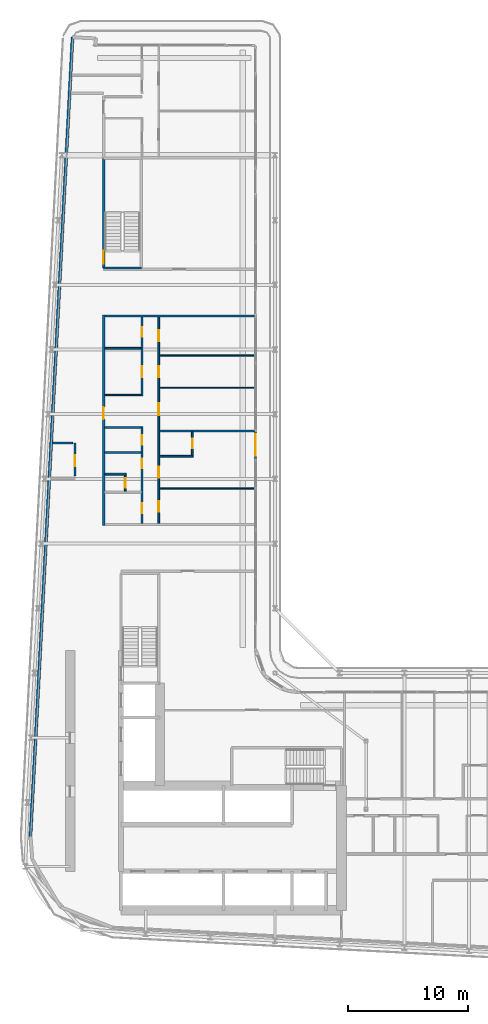
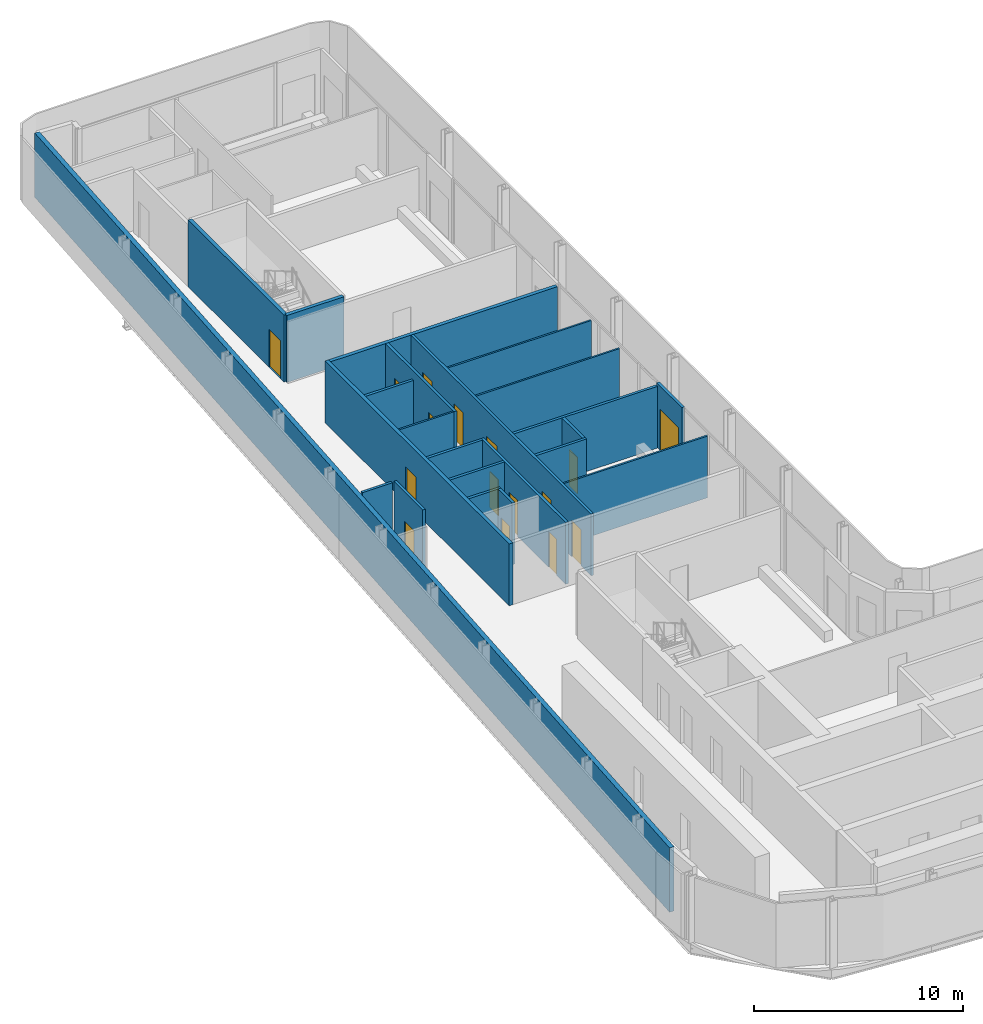
# One storey, part 18 of 29: 23 walls, 16 doors, 16 openings.
"""IFC4 building model written with IfcOpenShell, lengths in metres."""

import ifcopenshell
import ifcopenshell.guid

model = None  # the IFC model being written
_history = None  # IfcOwnerHistory: only IFC2X3 demands one
_inside = {}  # id of a spatial element -> (the spatial element, [elements in it])
_under = {}  # id of a project, library or spatial element -> (it, [spatial elements below it])
_declared = {}  # id of a project -> (the project, [libraries it declares])
_typed = {}  # id of a type object -> (the type object, [elements of that type])
_made_of = {}  # id of a material, layer set ... -> (it, [elements and type objects made of it])


def new_model(schema):
    """Start an empty IFC model of exactly this schema.

    Asked for "IFC4X3", IfcOpenShell would pick the latest addendum, in which some entities
    have other attributes; the version numbers below select the first issue.
    IFC2X3 requires an IfcOwnerHistory on every rooted entity: one is made here for all.
    """
    global model, _history
    if schema == "IFC4X3":
        model = ifcopenshell.file(schema_version=(4, 3, 0, 0))
    else:
        model = ifcopenshell.file(schema=schema)
    _inside.clear()
    _under.clear()
    _declared.clear()
    _typed.clear()
    _made_of.clear()
    _history = None
    if model.schema == "IFC2X3":
        org = make("IfcOrganization", Name="unknown")
        user = make(
            "IfcPersonAndOrganization",
            ThePerson=make("IfcPerson", FamilyName="unknown"),
            TheOrganization=org,
        )
        app = make(
            "IfcApplication",
            ApplicationDeveloper=org,
            Version="unknown",
            ApplicationFullName="unknown",
            ApplicationIdentifier="unknown",
        )
        _history = make(
            "IfcOwnerHistory",
            OwningUser=user,
            OwningApplication=app,
            ChangeAction="ADDED",
            CreationDate=0,
        )
    return model


def make(cls, **values):
    """One entity of the class cls with the attributes given. An attribute that is None is left unset."""
    return model.create_entity(
        cls, **{name: value for name, value in values.items() if value is not None}
    )


def rooted(cls, **values):
    """An entity with a GlobalId (a new one), such as an element, a storey or a relation."""
    return make(cls, GlobalId=ifcopenshell.guid.new(), OwnerHistory=_history, **values)


def si_unit(unit_type, name, prefix=None):
    """IfcSIUnit, for example si_unit("LENGTHUNIT", "METRE", prefix="MILLI")."""
    return make("IfcSIUnit", UnitType=unit_type, Prefix=prefix, Name=name)


def assignment(units):
    """IfcUnitAssignment: the units of a project."""
    return None if units is None else make("IfcUnitAssignment", Units=units)


def point(xyz):
    """IfcCartesianPoint."""
    return None if xyz is None else make("IfcCartesianPoint", Coordinates=xyz)


def direction(xyz):
    """IfcDirection."""
    return None if xyz is None else make("IfcDirection", DirectionRatios=xyz)


def frame(location, z_axis=None, x_axis=None):
    """IfcAxis2Placement3D, a coordinate frame: its origin and axes. An axis left out is left unset."""
    return make(
        "IfcAxis2Placement3D",
        Location=point(location),
        Axis=direction(z_axis),
        RefDirection=direction(x_axis),
    )


def frame_2d(location, x_axis=None):
    """IfcAxis2Placement2D, a coordinate frame in the plane: its origin and x axis."""
    return make(
        "IfcAxis2Placement2D", Location=point(location), RefDirection=direction(x_axis)
    )


def origin():
    """The frame at (0, 0, 0) with its axes left unset."""
    return frame((0.0, 0.0, 0.0))


def place(relative_to, where):
    """IfcLocalPlacement: puts the frame where relative to a parent placement (None: the world)."""
    return make(
        "IfcLocalPlacement", PlacementRelTo=relative_to, RelativePlacement=where
    )


def context(
    kind, dimensions, precision=None, world=None, true_north=None, identifier=None
):
    """IfcGeometricRepresentationContext, for example the 3D "Model" context."""
    return make(
        "IfcGeometricRepresentationContext",
        ContextIdentifier=identifier,
        ContextType=kind,
        CoordinateSpaceDimension=dimensions,
        Precision=precision,
        WorldCoordinateSystem=world,
        TrueNorth=true_north,
    )


def subcontext(parent, identifier, kind, view, scale=None):
    """IfcGeometricRepresentationSubContext, for example "Body" below "Model"."""
    return make(
        "IfcGeometricRepresentationSubContext",
        ContextIdentifier=identifier,
        ContextType=kind,
        ParentContext=parent,
        TargetScale=scale,
        TargetView=view,
    )


def project(units=None, contexts=None):
    """IfcProject with its units and contexts."""
    return rooted(
        "IfcProject",
        Name="project",
        RepresentationContexts=contexts,
        UnitsInContext=assignment(units),
    )


def spatial(cls, under=None, at=None, **own):
    """A site, building, storey or space (cls), placed at a placement, below another one or the project."""
    s = rooted(cls, ObjectPlacement=at, **own)
    if under is not None:
        _under.setdefault(under.id(), (under, []))[1].append(s)
    return s


def profile(cls, at=None, kind="AREA", **sizes):
    """A parametric profile (cls). Its sizes go by their IFC names, for example OverallWidth=200.0."""
    return make(cls, ProfileType=kind, Position=at, **sizes)


def rectangle(**sizes):
    """IfcRectangleProfileDef."""
    return profile("IfcRectangleProfileDef", **sizes)


def extrude(swept, where, along, depth):
    """IfcExtrudedAreaSolid: the profile swept, set in the frame where, extruded along a direction by depth."""
    return make(
        "IfcExtrudedAreaSolid",
        SweptArea=swept,
        Position=where,
        ExtrudedDirection=direction(along),
        Depth=depth,
    )


def shape(context_of_items, identifier, shape_type, items):
    """IfcShapeRepresentation: the items that make up one representation, for example the "Body"."""
    return make(
        "IfcShapeRepresentation",
        ContextOfItems=context_of_items,
        RepresentationIdentifier=identifier,
        RepresentationType=shape_type,
        Items=items,
    )


def source(mapping_origin, context_of_items, identifier, shape_type, items):
    """IfcRepresentationMap: a shape defined once, which mapped items show again and again."""
    return make(
        "IfcRepresentationMap",
        MappingOrigin=mapping_origin,
        MappedRepresentation=shape(context_of_items, identifier, shape_type, items),
    )


def transform(
    local_origin,
    x_axis=None,
    y_axis=None,
    z_axis=None,
    scale=None,
    scale2=None,
    scale3=None,
    uniform=True,
):
    """IfcCartesianTransformationOperator3D, or its non-uniform kind. x_axis, y_axis, z_axis: its Axis1, 2, 3."""
    if uniform:
        return make(
            "IfcCartesianTransformationOperator3D",
            Axis1=direction(x_axis),
            Axis2=direction(y_axis),
            LocalOrigin=point(local_origin),
            Scale=scale,
            Axis3=direction(z_axis),
        )
    return make(
        "IfcCartesianTransformationOperator3DnonUniform",
        Axis1=direction(x_axis),
        Axis2=direction(y_axis),
        LocalOrigin=point(local_origin),
        Scale=scale,
        Axis3=direction(z_axis),
        Scale2=scale2,
        Scale3=scale3,
    )


def mapped(mapping_source, mapping_target):
    """IfcMappedItem: shows the shape of a source again, moved by a transform."""
    return make(
        "IfcMappedItem", MappingSource=mapping_source, MappingTarget=mapping_target
    )


def material(Name=None, Category=None):
    """IfcMaterial."""
    return make("IfcMaterial", Name=Name, Category=Category)


def layer(
    of_material, thickness, ventilated=None, Name=None, Category=None, Priority=None
):
    """IfcMaterialLayer: one layer of a wall or slab, of a material (None: an air gap)."""
    return make(
        "IfcMaterialLayer",
        Material=of_material,
        LayerThickness=thickness,
        IsVentilated=ventilated,
        Name=Name,
        Category=Category,
        Priority=Priority,
    )


def layer_set(layers, Name=None):
    """IfcMaterialLayerSet."""
    return make("IfcMaterialLayerSet", MaterialLayers=layers, LayerSetName=Name)


def made_of(thing, what):
    """Note that an element or type object is made of a material, layer set ...; save() writes the relation."""
    if what is not None:
        _made_of.setdefault(what.id(), (what, []))[1].append(thing)
    return thing


def type_object(cls, material=None, **own):
    """A type object (cls), such as IfcWallType, which elements share."""
    return made_of(rooted(cls, **own), material)


def element(
    cls,
    number,
    at=None,
    inside=None,
    cuts=None,
    type_object=None,
    material=None,
    context=None,
    identifier="Body",
    shape_type=None,
    held_by="IfcProductDefinitionShape",
    body=None,
    shapes=None,
    **own,
):
    """One element of the class cls, such as IfcWall. Its Tag is "e" and its number.

    at: its placement. inside: the storey or other place that contains it. cuts: it is an
    opening in that element (IfcRelVoidsElement). A single representation is given by context,
    identifier, shape_type and body (its items); several are given by shapes. held_by: the class
    of the entity that holds the representations. save() writes the other relations.
    """
    e = rooted(cls, Tag="e%d" % number, ObjectPlacement=at, **own)
    if body is not None:
        shapes = [shape(context, identifier, shape_type, body)]
    if shapes is not None:
        e.Representation = make(held_by, Representations=shapes)
    if inside is not None:
        _inside.setdefault(inside.id(), (inside, []))[1].append(e)
    if cuts is not None:
        rooted(
            "IfcRelVoidsElement", RelatingBuildingElement=cuts, RelatedOpeningElement=e
        )
    if type_object is not None:
        _typed.setdefault(type_object.id(), (type_object, []))[1].append(e)
    return made_of(e, material)


def fill(opening, filler):
    """IfcRelFillsElement: the door or window that sits in an opening."""
    return rooted(
        "IfcRelFillsElement",
        RelatingOpeningElement=opening,
        RelatedBuildingElement=filler,
    )


def aggregate(whole, parts):
    """IfcRelAggregates: a whole, such as a stair, and the parts it consists of."""
    return rooted("IfcRelAggregates", RelatingObject=whole, RelatedObjects=parts)


def save(model, path):
    """Write the relations noted so far, then the file.

    IfcRelAggregates (storeys below a building ...), IfcRelContainedInSpatialStructure (elements
    in a storey), IfcRelDefinesByType, IfcRelAssociatesMaterial and IfcRelDeclares: one each for
    every whole, place, type object, material and project.
    """
    for whole, parts in _under.values():
        aggregate(whole, parts)
    for where, things in _inside.values():
        rooted(
            "IfcRelContainedInSpatialStructure",
            RelatedElements=things,
            RelatingStructure=where,
        )
    for kind, things in _typed.values():
        rooted("IfcRelDefinesByType", RelatedObjects=things, RelatingType=kind)
    for what, things in _made_of.values():
        rooted("IfcRelAssociatesMaterial", RelatedObjects=things, RelatingMaterial=what)
    for by, libraries in _declared.values():
        rooted("IfcRelDeclares", RelatingContext=by, RelatedDefinitions=libraries)
    model.write(path)


model = new_model("IFC4")

# Units and contexts
model_context = context("Model", 3, precision=1e-05, world=origin(), true_north=direction((0.0, 1.0)))
body_context = subcontext(model_context, "Body", "Model", "MODEL_VIEW")
ifc_project = project(units=[si_unit("LENGTHUNIT", "METRE"), si_unit("AREAUNIT", "SQUARE_METRE"), si_unit("VOLUMEUNIT", "CUBIC_METRE"), si_unit("PLANEANGLEUNIT", "RADIAN"), si_unit("MASSUNIT", "GRAM", prefix="KILO")], contexts=[model_context])

# Site, building, storey
site_placement = place(None, origin())
site = spatial("IfcSite", under=ifc_project, at=site_placement, CompositionType="ELEMENT")
building_placement = place(site_placement, origin())
building = spatial("IfcBuilding", under=site, at=building_placement, Name="Kheshtan School and Residences Tower", CompositionType="ELEMENT")
storey_placement = place(building_placement, frame((0.0, 0.0, 183.800048828125)))
storey = spatial("IfcBuildingStorey", under=building, at=storey_placement, Name="L43", CompositionType="ELEMENT", Elevation=183.800048828125)

# Wall, opening, door
ifc_material_1 = material(Name="Gypsum board on steel studs with fire boards", Category="steel")
ifc_layer_1 = layer(ifc_material_1, 0.199951171875)
ifc_layer_set_1 = layer_set([ifc_layer_1], Name="Corridor wall 200")
wall_type_1 = type_object("IfcWallType", Name="Corridor wall 200", PredefinedType="PARTITIONING", material=ifc_layer_set_1)
wall_1_placement = place(storey_placement, frame((33.300048828125, 57.89990234375, 0.0), z_axis=(0.0, 0.0, 1.0), x_axis=(0.0, 1.0, 0.0)))
wall_1 = element("IfcWall", 1, at=wall_1_placement, inside=storey, type_object=wall_type_1, Name="Partition L43-003", PredefinedType="PARTITIONING", context=body_context, shape_type="SweptSolid", body=[
    extrude(rectangle(XDim=17.60009765625, YDim=0.199951171875, at=frame_2d((8.800048828125, 0.0))), origin(), (0.0, 0.0, 1.0), 3.599853515625),
])
opening_1_placement = place(wall_1_placement, frame((8.89990234375, 0.0, 0.0)))
opening_1 = element("IfcOpeningElement", 2, at=opening_1_placement, cuts=wall_1, Name="Opening D43-039", PredefinedType="OPENING", context=body_context, shape_type="SweptSolid", body=[
    extrude(rectangle(XDim=1.0, YDim=2.10009765625, at=frame_2d((0.5, 1.050048828125))), frame((0.0, 0.10986328125, 0.0), z_axis=(0.0, -1.0, 0.0), x_axis=(1.0, 0.0, 0.0)), (0.0, 0.0, 1.0), 0.219970703125),
])
ifc_material_2 = material(Name="Steel-framed fire-resisting door leaf", Category="steel")
door_type_1 = type_object("IfcDoorType", Name="Fire door FD30S 1000 x 2100", OperationType="SINGLE_SWING_LEFT", PredefinedType="DOOR", material=ifc_material_2)
shared_shape_1 = source(origin(), body_context, "Body", "SweptSolid", [
    extrude(rectangle(XDim=1.0, YDim=2.10009765625, at=frame_2d((0.5, 1.050048828125))), frame((0.0, 0.02490234375, 0.0), z_axis=(0.0, -1.0, 0.0), x_axis=(1.0, 0.0, 0.0)), (0.0, 0.0, 1.0), 0.050048828125),
])
door_1_placement = place(opening_1_placement, origin())
door_1 = element("IfcDoor", 3, at=door_1_placement, inside=storey, type_object=door_type_1, Name="Door D43-039", OperationType="SINGLE_SWING_RIGHT", OverallHeight=2.10009765625, OverallWidth=1.0, PredefinedType="DOOR", context=body_context, shape_type="MappedRepresentation", body=[
    mapped(shared_shape_1, transform((0.0, 0.0, 0.0), x_axis=(1.0, 0.0, 0.0), y_axis=(0.0, 1.0, 0.0), z_axis=(0.0, 0.0, 1.0), scale=1.0)),
])
fill(opening_1, door_1)

# Walls
wall_2_placement = place(storey_placement, frame((33.39990234375, 75.39990234375, 0.0), z_axis=(0.0, 0.0, 1.0), x_axis=(1.0, 0.0, 0.0)))
element("IfcWall", 4, at=wall_2_placement, inside=storey, type_object=wall_type_1, Name="Partition L43-013", PredefinedType="PARTITIONING", context=body_context, shape_type="SweptSolid", body=[
    extrude(rectangle(XDim=12.5, YDim=0.199951171875, at=frame_2d((6.25, 0.0))), origin(), (0.0, 0.0, 1.0), 3.599853515625),
])
ifc_material_3 = material(Name="Concrete C40/50 with ceramic cladding and mineral wool insulation", Category="concrete")
ifc_layer_2 = layer(ifc_material_3, 0.25)
ifc_layer_set_2 = layer_set([ifc_layer_2], Name="External wall 250 ceramic clad")
wall_type_2 = type_object("IfcWallType", Name="External wall 250 ceramic clad", PredefinedType="SOLIDWALL", material=ifc_layer_set_2)
wall_3_placement = place(storey_placement, frame((27.195068359375, 31.968994140625, 0.0), z_axis=(0.0, 0.0, 1.0), x_axis=(0.052554995867, 0.998618031286, 0.0)))
element("IfcWall", 5, at=wall_3_placement, inside=storey, type_object=wall_type_2, Name="External wall L43 4", PredefinedType="SOLIDWALL", context=body_context, shape_type="SweptSolid", body=[
    extrude(rectangle(XDim=66.787353515625, YDim=0.25, at=frame_2d((33.3935546875, 0.0))), origin(), (0.0, 0.0, 1.0), 3.75),
])

# Wall, opening, door
ifc_material_4 = material(Name="Aluminium frame wall with insulated infill", Category="aluminium")
ifc_layer_3 = layer(ifc_material_4, 0.14990234375)
ifc_layer_set_3 = layer_set([ifc_layer_3], Name="Glazing frame wall 150")
wall_type_3 = type_object("IfcWallType", Name="Glazing frame wall 150", PredefinedType="SOLIDWALL", material=ifc_layer_set_3)
wall_4_placement = place(storey_placement, frame((45.97509765625, 65.818115234375, 0.0), z_axis=(0.0, 0.0, 1.0), x_axis=(0.0, -1.0, 0.0)))
wall_4 = element("IfcWall", 6, at=wall_4_placement, inside=storey, type_object=wall_type_3, Name="Balcony door wall L43 8.4", PredefinedType="SOLIDWALL", context=body_context, shape_type="SweptSolid", body=[
    extrude(rectangle(XDim=2.400146484375, YDim=0.14990234375, at=frame_2d((1.2001953125, 0.0))), origin(), (0.0, 0.0, 1.0), 3.75),
])
opening_2_placement = place(wall_4_placement, frame((0.300048828125, 0.0, 0.0)))
opening_2 = element("IfcOpeningElement", 7, at=opening_2_placement, cuts=wall_4, Name="Opening BD", PredefinedType="OPENING", context=body_context, shape_type="SweptSolid", body=[
    extrude(rectangle(XDim=1.800048828125, YDim=2.39990234375, at=frame_2d((0.89990234375, 1.199951171875))), frame((0.0, 0.0849609375, 0.0), z_axis=(0.0, -1.0, 0.0), x_axis=(1.0, 0.0, 0.0)), (0.0, 0.0, 1.0), 0.169921875),
])
ifc_material_5 = material(Name="Clear low-e glass in thermally broken aluminium frame", Category="aluminium")
door_type_2 = type_object("IfcDoorType", Name="Balcony sliding door", OperationType="SLIDING_TO_LEFT", PredefinedType="DOOR", material=ifc_material_5)
shared_shape_2 = source(origin(), body_context, "Body", "SweptSolid", [
    extrude(rectangle(XDim=1.800048828125, YDim=2.39990234375, at=frame_2d((0.89990234375, 1.199951171875))), frame((0.0, 0.02490234375, 0.0), z_axis=(0.0, -1.0, 0.0), x_axis=(1.0, 0.0, 0.0)), (0.0, 0.0, 1.0), 0.050048828125),
])
door_2_placement = place(opening_2_placement, origin())
door_2 = element("IfcDoor", 8, at=door_2_placement, inside=storey, type_object=door_type_2, Name="Balcony door L43 8.4", OperationType="SLIDING_TO_LEFT", OverallHeight=2.39990234375, OverallWidth=1.800048828125, PredefinedType="DOOR", context=body_context, shape_type="MappedRepresentation", body=[
    mapped(shared_shape_2, transform((0.0, 0.0, 0.0), x_axis=(1.0, 0.0, 0.0), y_axis=(0.0, 1.0, 0.0), z_axis=(0.0, 0.0, 1.0), scale=1.0)),
])
fill(opening_2, door_2)

# Walls
ifc_material_6 = material(Name="Gypsum board on steel studs", Category="steel")
ifc_layer_4 = layer(ifc_material_6, 0.10009765625)
ifc_layer_set_4 = layer_set([ifc_layer_4], Name="Gypsum partition 100")
wall_type_4 = type_object("IfcWallType", Name="Gypsum partition 100", PredefinedType="PARTITIONING", material=ifc_layer_set_4)
wall_5_placement = place(storey_placement, frame((33.39990234375, 68.800048828125, 0.0), z_axis=(0.0, 0.0, 1.0), x_axis=(1.0, 0.0, 0.0)))
element("IfcWall", 9, at=wall_5_placement, inside=storey, type_object=wall_type_4, Name="Partition L43-011", PredefinedType="PARTITIONING", context=body_context, shape_type="SweptSolid", body=[
    extrude(rectangle(XDim=3.025146484375, YDim=0.10009765625, at=frame_2d((1.5126953125, 0.0))), origin(), (0.0, 0.0, 1.0), 3.599853515625),
])
for number, where, z_axis, x_axis, name in (
    (10, (37.97509765625, 61.0, 0.0), (0.0, 0.0, 1.0), (1.0, 0.0, 0.0), "Partition L43-026"),
    (11, (37.97509765625, 69.39990234375, 0.0), (0.0, 0.0, 1.0), (1.0, 0.0, 0.0), "Partition L43-029"),
    (12, (37.97509765625, 72.10009765625, 0.0), (0.0, 0.0, 1.0), (1.0, 0.0, 0.0), "Partition L43-030"),
):
    element("IfcWall", number, at=place(storey_placement, frame(where, z_axis=z_axis, x_axis=x_axis)), inside=storey, type_object=wall_type_4, Name=name, PredefinedType="PARTITIONING", context=body_context, shape_type="SweptSolid", body=[
        extrude(rectangle(XDim=7.9248046875, YDim=0.10009765625, at=frame_2d((3.96240234375, 0.0))), origin(), (0.0, 0.0, 1.0), 3.599853515625),
    ])

# Wall, opening, door
ifc_material_7 = material(Name="Fire-board shaft wall system")
ifc_layer_5 = layer(ifc_material_7, 0.14990234375)
ifc_layer_set_5 = layer_set([ifc_layer_5], Name="Service room wall 150")
wall_type_5 = type_object("IfcWallType", Name="Service room wall 150", PredefinedType="PARTITIONING", material=ifc_layer_set_5)
wall_6_placement = place(storey_placement, frame((30.89990234375, 62.0458984375, 0.0), z_axis=(0.0, 0.0, 1.0), x_axis=(0.0, 1.0, 0.0)))
wall_6 = element("IfcWall", 13, at=wall_6_placement, inside=storey, type_object=wall_type_5, Name="Service room wall", PredefinedType="PARTITIONING", context=body_context, shape_type="SweptSolid", body=[
    extrude(rectangle(XDim=2.754150390625, YDim=0.14990234375, at=frame_2d((1.376953125, 0.0))), origin(), (0.0, 0.0, 1.0), 3.89990234375),
])
opening_3_placement = place(wall_6_placement, frame((0.830078125, 0.0, 0.0)))
opening_3 = element("IfcOpeningElement", 14, at=opening_3_placement, cuts=wall_6, Name="Opening SR90", PredefinedType="OPENING", context=body_context, shape_type="SweptSolid", body=[
    extrude(rectangle(XDim=0.89990234375, YDim=2.199951171875, at=frame_2d((0.449951171875, 1.10009765625))), frame((0.0, 0.0849609375, 0.0), z_axis=(0.0, -1.0, 0.0), x_axis=(1.0, 0.0, 0.0)), (0.0, 0.0, 1.0), 0.169921875),
])
ifc_material_8 = material(Name="Steel door leaf, galvanised", Category="steel")
door_type_3 = type_object("IfcDoorType", Name="Service room door 900 steel 90 min", OperationType="SINGLE_SWING_LEFT", PredefinedType="DOOR", material=ifc_material_8)
shared_shape_3 = source(origin(), body_context, "Body", "SweptSolid", [
    extrude(rectangle(XDim=0.89990234375, YDim=2.199951171875, at=frame_2d((0.449951171875, 1.10009765625))), frame((0.0, 0.02490234375, 0.0), z_axis=(0.0, -1.0, 0.0), x_axis=(1.0, 0.0, 0.0)), (0.0, 0.0, 1.0), 0.050048828125),
])
door_3_placement = place(opening_3_placement, origin())
door_3 = element("IfcDoor", 15, at=door_3_placement, inside=storey, type_object=door_type_3, Name="Service room door", OperationType="SINGLE_SWING_LEFT", OverallHeight=2.199951171875, OverallWidth=0.89990234375, PredefinedType="DOOR", context=body_context, shape_type="MappedRepresentation", body=[
    mapped(shared_shape_3, transform((0.0, 0.0, 0.0), x_axis=(1.0, 0.0, 0.0), y_axis=(0.0, 1.0, 0.0), z_axis=(0.0, 0.0, 1.0), scale=1.0)),
])
fill(opening_3, door_3)

# Walls
wall_7_placement = place(storey_placement, frame((29.050048828125, 64.800048828125, 0.0), z_axis=(0.0, 0.0, 1.0), x_axis=(1.0, 0.0, 0.0)))
element("IfcWall", 16, at=wall_7_placement, inside=storey, type_object=wall_type_5, Name="Service room wall", PredefinedType="PARTITIONING", context=body_context, shape_type="SweptSolid", body=[
    extrude(rectangle(XDim=1.655029296875, YDim=0.14990234375, at=frame_2d((0.82763671875, 0.0))), origin(), (0.0, 0.0, 1.0), 3.89990234375),
])
ifc_material_9 = material(Name="Concrete C40/50", Category="concrete")
ifc_layer_6 = layer(ifc_material_9, 0.199951171875)
ifc_layer_set_6 = layer_set([ifc_layer_6], Name="Stair enclosure wall 200 Concrete C40/50")
wall_type_6 = type_object("IfcWallType", Name="Stair enclosure wall 200 Concrete C40/50", PredefinedType="SHEAR", material=ifc_layer_set_6)
wall_8_placement = place(storey_placement, frame((33.300048828125, 79.39990234375, 0.0), z_axis=(0.0, 0.0, 1.0), x_axis=(1.0, 0.0, 0.0)))
element("IfcWall", 17, at=wall_8_placement, inside=storey, type_object=wall_type_6, Name="Stair enclosure wall ST3", PredefinedType="SHEAR", context=body_context, shape_type="SweptSolid", body=[
    extrude(rectangle(XDim=3.14990234375, YDim=0.199951171875, at=frame_2d((1.574951171875, 0.0))), origin(), (0.0, 0.0, 1.0), 3.89990234375),
])

# Wall, opening, door
wall_9_placement = place(storey_placement, frame((33.300048828125, 79.39990234375, 0.0), z_axis=(0.0, 0.0, 1.0), x_axis=(0.0, 1.0, 0.0)))
wall_9 = element("IfcWall", 18, at=wall_9_placement, inside=storey, type_object=wall_type_6, Name="Stair enclosure wall ST3", PredefinedType="SHEAR", context=body_context, shape_type="SweptSolid", body=[
    extrude(rectangle(XDim=9.16015625, YDim=0.199951171875, at=frame_2d((4.580078125, 0.0))), origin(), (0.0, 0.0, 1.0), 3.89990234375),
])
opening_4_placement = place(wall_9_placement, frame((0.35009765625, 0.0, 0.0)))
opening_4 = element("IfcOpeningElement", 19, at=opening_4_placement, cuts=wall_9, Name="Opening ST3D", PredefinedType="OPENING", context=body_context, shape_type="SweptSolid", body=[
    extrude(rectangle(XDim=1.10009765625, YDim=2.199951171875, at=frame_2d((0.550048828125, 1.10009765625))), frame((0.0, 0.10986328125, 0.0), z_axis=(0.0, -1.0, 0.0), x_axis=(1.0, 0.0, 0.0)), (0.0, 0.0, 1.0), 0.219970703125),
])
door_type_4 = type_object("IfcDoorType", Name="Stair door 1100 steel 90 min", OperationType="SINGLE_SWING_LEFT", PredefinedType="DOOR", material=ifc_material_8)
shared_shape_4 = source(origin(), body_context, "Body", "SweptSolid", [
    extrude(rectangle(XDim=1.10009765625, YDim=2.199951171875, at=frame_2d((0.550048828125, 1.10009765625))), frame((0.0, 0.02490234375, 0.0), z_axis=(0.0, -1.0, 0.0), x_axis=(1.0, 0.0, 0.0)), (0.0, 0.0, 1.0), 0.050048828125),
])
door_4_placement = place(opening_4_placement, origin())
door_4 = element("IfcDoor", 20, at=door_4_placement, inside=storey, type_object=door_type_4, Name="Stair ST3 door", OperationType="SINGLE_SWING_RIGHT", OverallHeight=2.199951171875, OverallWidth=1.10009765625, PredefinedType="DOOR", context=body_context, shape_type="MappedRepresentation", body=[
    mapped(shared_shape_4, transform((0.0, 0.0, 0.0), x_axis=(1.0, 0.0, 0.0), y_axis=(0.0, 1.0, 0.0), z_axis=(0.0, 0.0, 1.0), scale=1.0)),
])
fill(opening_4, door_4)

# Walls
ifc_material_10 = material(Name="Moisture-resistant gypsum board on steel studs", Category="steel")
ifc_layer_7 = layer(ifc_material_10, 0.14990234375)
ifc_layer_set_7 = layer_set([ifc_layer_7], Name="Wet-room partition 150")
wall_type_7 = type_object("IfcWallType", Name="Wet-room partition 150", PredefinedType="PARTITIONING", material=ifc_layer_set_7)
wall_10_placement = place(storey_placement, frame((33.39990234375, 62.199951171875, 0.0), z_axis=(0.0, 0.0, 1.0), x_axis=(1.0, 0.0, 0.0)))
element("IfcWall", 21, at=wall_10_placement, inside=storey, type_object=wall_type_7, Name="Partition L43-008", PredefinedType="PARTITIONING", context=body_context, shape_type="SweptSolid", body=[
    extrude(rectangle(XDim=1.775146484375, YDim=0.14990234375, at=frame_2d((0.8876953125, 0.0))), origin(), (0.0, 0.0, 1.0), 3.599853515625),
])
for number, where, z_axis, x_axis, name in (
    (22, (33.39990234375, 64.0, 0.0), (0.0, 0.0, 1.0), (1.0, 0.0, 0.0), "Partition L43-009"),
    (23, (33.39990234375, 66.10009765625, 0.0), (0.0, 0.0, 1.0), (1.0, 0.0, 0.0), "Partition L43-010"),
):
    element("IfcWall", number, at=place(storey_placement, frame(where, z_axis=z_axis, x_axis=x_axis)), inside=storey, type_object=wall_type_7, Name=name, PredefinedType="PARTITIONING", context=body_context, shape_type="SweptSolid", body=[
        extrude(rectangle(XDim=3.025146484375, YDim=0.14990234375, at=frame_2d((1.5126953125, 0.0))), origin(), (0.0, 0.0, 1.0), 3.599853515625),
    ])
wall_11_placement = place(storey_placement, frame((33.39990234375, 72.699951171875, 0.0), z_axis=(0.0, 0.0, 1.0), x_axis=(1.0, 0.0, 0.0)))
element("IfcWall", 24, at=wall_11_placement, inside=storey, type_object=wall_type_7, Name="Partition L43-012", PredefinedType="PARTITIONING", context=body_context, shape_type="SweptSolid", body=[
    extrude(rectangle(XDim=3.025146484375, YDim=0.14990234375, at=frame_2d((1.5126953125, 0.0))), origin(), (0.0, 0.0, 1.0), 3.072021484375),
])

# Wall, opening, door
wall_12_placement = place(storey_placement, frame((35.10009765625, 60.77490234375, 0.0), z_axis=(0.0, 0.0, 1.0), x_axis=(0.0, 1.0, 0.0)))
wall_12 = element("IfcWall", 25, at=wall_12_placement, inside=storey, type_object=wall_type_7, Name="Partition L43-017", PredefinedType="PARTITIONING", context=body_context, shape_type="SweptSolid", body=[
    extrude(rectangle(XDim=1.35009765625, YDim=0.14990234375, at=frame_2d((0.675048828125, 0.0))), origin(), (0.0, 0.0, 1.0), 3.599853515625),
])
opening_5_placement = place(wall_12_placement, frame((0.27490234375, 0.0, 0.0)))
opening_5 = element("IfcOpeningElement", 26, at=opening_5_placement, cuts=wall_12, Name="Opening D43-043", PredefinedType="OPENING", context=body_context, shape_type="SweptSolid", body=[
    extrude(rectangle(XDim=0.800048828125, YDim=2.10009765625, at=frame_2d((0.39990234375, 1.050048828125))), frame((0.0, 0.0849609375, 0.0), z_axis=(0.0, -1.0, 0.0), x_axis=(1.0, 0.0, 0.0)), (0.0, 0.0, 1.0), 0.169921875),
])
ifc_material_11 = material(Name="Veneered timber door leaf", Category="wood")
door_type_5 = type_object("IfcDoorType", Name="Door 800 x 2100", OperationType="SINGLE_SWING_LEFT", PredefinedType="DOOR", material=ifc_material_11)
shared_shape_5 = source(origin(), body_context, "Body", "SweptSolid", [
    extrude(rectangle(XDim=0.800048828125, YDim=2.10009765625, at=frame_2d((0.39990234375, 1.050048828125))), frame((0.0, 0.02490234375, 0.0), z_axis=(0.0, -1.0, 0.0), x_axis=(1.0, 0.0, 0.0)), (0.0, 0.0, 1.0), 0.050048828125),
])
door_5_placement = place(opening_5_placement, origin())
door_5 = element("IfcDoor", 27, at=door_5_placement, inside=storey, type_object=door_type_5, Name="Door D43-043", OperationType="SINGLE_SWING_LEFT", OverallHeight=2.10009765625, OverallWidth=0.800048828125, PredefinedType="DOOR", context=body_context, shape_type="MappedRepresentation", body=[
    mapped(shared_shape_5, transform((0.0, 0.0, 0.0), x_axis=(1.0, 0.0, 0.0), y_axis=(0.0, 1.0, 0.0), z_axis=(0.0, 0.0, 1.0), scale=1.0)),
])
fill(opening_5, door_5)

# Wall, openings, doors
wall_13_placement = place(storey_placement, frame((36.5, 58.10009765625, 0.0), z_axis=(0.0, 0.0, 1.0), x_axis=(0.0, 1.0, 0.0)))
wall_13 = element("IfcWall", 28, at=wall_13_placement, inside=storey, type_object=wall_type_7, Name="Partition L43-019", PredefinedType="PARTITIONING", context=body_context, shape_type="SweptSolid", body=[
    extrude(rectangle(XDim=8.074951171875, YDim=0.14990234375, at=frame_2d((4.03759765625, 0.0))), origin(), (0.0, 0.0, 1.0), 3.599853515625),
])
opening_6_placement = place(wall_13_placement, frame((0.85009765625, 0.0, 0.0)))
opening_6 = element("IfcOpeningElement", 29, at=opening_6_placement, cuts=wall_13, Name="Opening D43-034", PredefinedType="OPENING", context=body_context, shape_type="SweptSolid", body=[
    extrude(rectangle(XDim=0.800048828125, YDim=2.10009765625, at=frame_2d((0.39990234375, 1.050048828125))), frame((0.0, 0.0849609375, 0.0), z_axis=(0.0, -1.0, 0.0), x_axis=(1.0, 0.0, 0.0)), (0.0, 0.0, 1.0), 0.169921875),
])
opening_7_placement = place(wall_13_placement, frame((4.60009765625, 0.0, 0.0)))
opening_7 = element("IfcOpeningElement", 30, at=opening_7_placement, cuts=wall_13, Name="Opening D43-042", PredefinedType="OPENING", context=body_context, shape_type="SweptSolid", body=[
    extrude(rectangle(XDim=0.800048828125, YDim=2.10009765625, at=frame_2d((0.39990234375, 1.050048828125))), frame((0.0, 0.0849609375, 0.0), z_axis=(0.0, -1.0, 0.0), x_axis=(1.0, 0.0, 0.0)), (0.0, 0.0, 1.0), 0.169921875),
])
opening_8_placement = place(wall_13_placement, frame((6.550048828125, 0.0, 0.0)))
opening_8 = element("IfcOpeningElement", 31, at=opening_8_placement, cuts=wall_13, Name="Opening D43-046", PredefinedType="OPENING", context=body_context, shape_type="SweptSolid", body=[
    extrude(rectangle(XDim=0.800048828125, YDim=2.10009765625, at=frame_2d((0.39990234375, 1.050048828125))), frame((0.0, 0.0849609375, 0.0), z_axis=(0.0, -1.0, 0.0), x_axis=(1.0, 0.0, 0.0)), (0.0, 0.0, 1.0), 0.169921875),
])
door_6_placement = place(opening_6_placement, origin())
door_6 = element("IfcDoor", 32, at=door_6_placement, inside=storey, type_object=door_type_5, Name="Door D43-034", OperationType="SINGLE_SWING_RIGHT", OverallHeight=2.10009765625, OverallWidth=0.800048828125, PredefinedType="DOOR", context=body_context, shape_type="MappedRepresentation", body=[
    mapped(shared_shape_5, transform((0.0, 0.0, 0.0), x_axis=(1.0, 0.0, 0.0), y_axis=(0.0, 1.0, 0.0), z_axis=(0.0, 0.0, 1.0), scale=1.0)),
])
fill(opening_6, door_6)
door_7_placement = place(opening_7_placement, origin())
door_7 = element("IfcDoor", 33, at=door_7_placement, inside=storey, type_object=door_type_5, Name="Door D43-042", OperationType="SINGLE_SWING_RIGHT", OverallHeight=2.10009765625, OverallWidth=0.800048828125, PredefinedType="DOOR", context=body_context, shape_type="MappedRepresentation", body=[
    mapped(shared_shape_5, transform((0.0, 0.0, 0.0), x_axis=(1.0, 0.0, 0.0), y_axis=(0.0, 1.0, 0.0), z_axis=(0.0, 0.0, 1.0), scale=1.0)),
])
fill(opening_7, door_7)
door_8_placement = place(opening_8_placement, origin())
door_8 = element("IfcDoor", 34, at=door_8_placement, inside=storey, type_object=door_type_5, Name="Door D43-046", OperationType="SINGLE_SWING_RIGHT", OverallHeight=2.10009765625, OverallWidth=0.800048828125, PredefinedType="DOOR", context=body_context, shape_type="MappedRepresentation", body=[
    mapped(shared_shape_5, transform((0.0, 0.0, 0.0), x_axis=(1.0, 0.0, 0.0), y_axis=(0.0, 1.0, 0.0), z_axis=(0.0, 0.0, 1.0), scale=1.0)),
])
fill(opening_8, door_8)

wall_14_placement = place(storey_placement, frame((36.5, 68.75, 0.0), z_axis=(0.0, 0.0, 1.0), x_axis=(0.0, 1.0, 0.0)))
wall_14 = element("IfcWall", 35, at=wall_14_placement, inside=storey, type_object=wall_type_7, Name="Partition L43-020", PredefinedType="PARTITIONING", context=body_context, shape_type="SweptSolid", body=[
    extrude(rectangle(XDim=6.550048828125, YDim=0.14990234375, at=frame_2d((3.27490234375, 0.0))), origin(), (0.0, 0.0, 1.0), 3.599853515625),
])
opening_9_placement = place(wall_14_placement, frame((4.89990234375, 0.0, 0.0)))
opening_9 = element("IfcOpeningElement", 36, at=opening_9_placement, cuts=wall_14, Name="Opening D43-035", PredefinedType="OPENING", context=body_context, shape_type="SweptSolid", body=[
    extrude(rectangle(XDim=0.800048828125, YDim=2.10009765625, at=frame_2d((0.39990234375, 1.050048828125))), frame((0.0, 0.0849609375, 0.0), z_axis=(0.0, -1.0, 0.0), x_axis=(1.0, 0.0, 0.0)), (0.0, 0.0, 1.0), 0.169921875),
])
opening_10_placement = place(wall_14_placement, frame((1.550048828125, 0.0, 0.0)))
opening_10 = element("IfcOpeningElement", 37, at=opening_10_placement, cuts=wall_14, Name="Opening D43-040", PredefinedType="OPENING", context=body_context, shape_type="SweptSolid", body=[
    extrude(rectangle(XDim=0.89990234375, YDim=2.10009765625, at=frame_2d((0.449951171875, 1.050048828125))), frame((0.0, 0.0849609375, 0.0), z_axis=(0.0, -1.0, 0.0), x_axis=(1.0, 0.0, 0.0)), (0.0, 0.0, 1.0), 0.169921875),
])
door_9_placement = place(opening_9_placement, origin())
door_9 = element("IfcDoor", 38, at=door_9_placement, inside=storey, type_object=door_type_5, Name="Door D43-035", OperationType="SINGLE_SWING_LEFT", OverallHeight=2.10009765625, OverallWidth=0.800048828125, PredefinedType="DOOR", context=body_context, shape_type="MappedRepresentation", body=[
    mapped(shared_shape_5, transform((0.0, 0.0, 0.0), x_axis=(1.0, 0.0, 0.0), y_axis=(0.0, 1.0, 0.0), z_axis=(0.0, 0.0, 1.0), scale=1.0)),
])
fill(opening_9, door_9)
door_type_6 = type_object("IfcDoorType", Name="Door 900 x 2100", OperationType="SINGLE_SWING_LEFT", PredefinedType="DOOR", material=ifc_material_11)
shared_shape_6 = source(origin(), body_context, "Body", "SweptSolid", [
    extrude(rectangle(XDim=0.89990234375, YDim=2.10009765625, at=frame_2d((0.449951171875, 1.050048828125))), frame((0.0, 0.02490234375, 0.0), z_axis=(0.0, -1.0, 0.0), x_axis=(1.0, 0.0, 0.0)), (0.0, 0.0, 1.0), 0.050048828125),
])
door_10_placement = place(opening_10_placement, origin())
door_10 = element("IfcDoor", 39, at=door_10_placement, inside=storey, type_object=door_type_6, Name="Door D43-040", OperationType="SINGLE_SWING_RIGHT", OverallHeight=2.10009765625, OverallWidth=0.89990234375, PredefinedType="DOOR", context=body_context, shape_type="MappedRepresentation", body=[
    mapped(shared_shape_6, transform((0.0, 0.0, 0.0), x_axis=(1.0, 0.0, 0.0), y_axis=(0.0, 1.0, 0.0), z_axis=(0.0, 0.0, 1.0), scale=1.0)),
])
fill(opening_10, door_10)

wall_15_placement = place(storey_placement, frame((37.89990234375, 58.10009765625, 0.0), z_axis=(0.0, 0.0, 1.0), x_axis=(0.0, 1.0, 0.0)))
wall_15 = element("IfcWall", 40, at=wall_15_placement, inside=storey, type_object=wall_type_7, Name="Partition L43-023", PredefinedType="PARTITIONING", context=body_context, shape_type="SweptSolid", body=[
    extrude(rectangle(XDim=17.199951171875, YDim=0.14990234375, at=frame_2d((8.60009765625, 0.0))), origin(), (0.0, 0.0, 1.0), 3.599853515625),
])
opening_11_placement = place(wall_15_placement, frame((0.949951171875, 0.0, 0.0)))
opening_11 = element("IfcOpeningElement", 41, at=opening_11_placement, cuts=wall_15, Name="Opening D43-036", PredefinedType="OPENING", context=body_context, shape_type="SweptSolid", body=[
    extrude(rectangle(XDim=0.89990234375, YDim=2.10009765625, at=frame_2d((0.449951171875, 1.050048828125))), frame((0.0, 0.0849609375, 0.0), z_axis=(0.0, -1.0, 0.0), x_axis=(1.0, 0.0, 0.0)), (0.0, 0.0, 1.0), 0.169921875),
])
opening_12_placement = place(wall_15_placement, frame((15.199951171875, 0.0, 0.0)))
opening_12 = element("IfcOpeningElement", 42, at=opening_12_placement, cuts=wall_15, Name="Opening D43-037", PredefinedType="OPENING", context=body_context, shape_type="SweptSolid", body=[
    extrude(rectangle(XDim=0.89990234375, YDim=2.10009765625, at=frame_2d((0.449951171875, 1.050048828125))), frame((0.0, 0.0849609375, 0.0), z_axis=(0.0, -1.0, 0.0), x_axis=(1.0, 0.0, 0.0)), (0.0, 0.0, 1.0), 0.169921875),
])
opening_13_placement = place(wall_15_placement, frame((9.0, 0.0, 0.0)))
opening_13 = element("IfcOpeningElement", 43, at=opening_13_placement, cuts=wall_15, Name="Opening D43-041", PredefinedType="OPENING", context=body_context, shape_type="SweptSolid", body=[
    extrude(rectangle(XDim=1.0, YDim=2.10009765625, at=frame_2d((0.5, 1.050048828125))), frame((0.0, 0.0849609375, 0.0), z_axis=(0.0, -1.0, 0.0), x_axis=(1.0, 0.0, 0.0)), (0.0, 0.0, 1.0), 0.169921875),
])
opening_14_placement = place(wall_15_placement, frame((12.199951171875, 0.0, 0.0)))
opening_14 = element("IfcOpeningElement", 44, at=opening_14_placement, cuts=wall_15, Name="Opening D43-044", PredefinedType="OPENING", context=body_context, shape_type="SweptSolid", body=[
    extrude(rectangle(XDim=0.89990234375, YDim=2.10009765625, at=frame_2d((0.449951171875, 1.050048828125))), frame((0.0, 0.0849609375, 0.0), z_axis=(0.0, -1.0, 0.0), x_axis=(1.0, 0.0, 0.0)), (0.0, 0.0, 1.0), 0.169921875),
])
opening_15_placement = place(wall_15_placement, frame((3.800048828125, 0.0, 0.0)))
opening_15 = element("IfcOpeningElement", 45, at=opening_15_placement, cuts=wall_15, Name="Opening D43-045", PredefinedType="OPENING", context=body_context, shape_type="SweptSolid", body=[
    extrude(rectangle(XDim=0.89990234375, YDim=2.10009765625, at=frame_2d((0.449951171875, 1.050048828125))), frame((0.0, 0.0849609375, 0.0), z_axis=(0.0, -1.0, 0.0), x_axis=(1.0, 0.0, 0.0)), (0.0, 0.0, 1.0), 0.169921875),
])
door_type_7 = type_object("IfcDoorType", Name="Door 1000 x 2100", OperationType="SINGLE_SWING_LEFT", PredefinedType="DOOR", material=ifc_material_11)
shared_shape_7 = source(origin(), body_context, "Body", "SweptSolid", [
    extrude(rectangle(XDim=1.0, YDim=2.10009765625, at=frame_2d((0.5, 1.050048828125))), frame((0.0, 0.02490234375, 0.0), z_axis=(0.0, -1.0, 0.0), x_axis=(1.0, 0.0, 0.0)), (0.0, 0.0, 1.0), 0.050048828125),
])
door_11_placement = place(opening_13_placement, origin())
door_11 = element("IfcDoor", 46, at=door_11_placement, inside=storey, type_object=door_type_7, Name="Door D43-041", OperationType="SINGLE_SWING_LEFT", OverallHeight=2.10009765625, OverallWidth=1.0, PredefinedType="DOOR", context=body_context, shape_type="MappedRepresentation", body=[
    mapped(shared_shape_7, transform((0.0, 0.0, 0.0), x_axis=(1.0, 0.0, 0.0), y_axis=(0.0, 1.0, 0.0), z_axis=(0.0, 0.0, 1.0), scale=1.0)),
])
fill(opening_13, door_11)
door_12_placement = place(opening_11_placement, origin())
door_12 = element("IfcDoor", 47, at=door_12_placement, inside=storey, type_object=door_type_6, Name="Door D43-036", OperationType="SINGLE_SWING_LEFT", OverallHeight=2.10009765625, OverallWidth=0.89990234375, PredefinedType="DOOR", context=body_context, shape_type="MappedRepresentation", body=[
    mapped(shared_shape_6, transform((0.0, 0.0, 0.0), x_axis=(1.0, 0.0, 0.0), y_axis=(0.0, 1.0, 0.0), z_axis=(0.0, 0.0, 1.0), scale=1.0)),
])
fill(opening_11, door_12)
door_13_placement = place(opening_12_placement, origin())
door_13 = element("IfcDoor", 48, at=door_13_placement, inside=storey, type_object=door_type_6, Name="Door D43-037", OperationType="SINGLE_SWING_LEFT", OverallHeight=2.10009765625, OverallWidth=0.89990234375, PredefinedType="DOOR", context=body_context, shape_type="MappedRepresentation", body=[
    mapped(shared_shape_6, transform((0.0, 0.0, 0.0), x_axis=(1.0, 0.0, 0.0), y_axis=(0.0, 1.0, 0.0), z_axis=(0.0, 0.0, 1.0), scale=1.0)),
])
fill(opening_12, door_13)
door_14_placement = place(opening_14_placement, origin())
door_14 = element("IfcDoor", 49, at=door_14_placement, inside=storey, type_object=door_type_6, Name="Door D43-044", OperationType="SINGLE_SWING_LEFT", OverallHeight=2.10009765625, OverallWidth=0.89990234375, PredefinedType="DOOR", context=body_context, shape_type="MappedRepresentation", body=[
    mapped(shared_shape_6, transform((0.0, 0.0, 0.0), x_axis=(1.0, 0.0, 0.0), y_axis=(0.0, 1.0, 0.0), z_axis=(0.0, 0.0, 1.0), scale=1.0)),
])
fill(opening_14, door_14)
door_15_placement = place(opening_15_placement, origin())
door_15 = element("IfcDoor", 50, at=door_15_placement, inside=storey, type_object=door_type_6, Name="Door D43-045", OperationType="SINGLE_SWING_LEFT", OverallHeight=2.10009765625, OverallWidth=0.89990234375, PredefinedType="DOOR", context=body_context, shape_type="MappedRepresentation", body=[
    mapped(shared_shape_6, transform((0.0, 0.0, 0.0), x_axis=(1.0, 0.0, 0.0), y_axis=(0.0, 1.0, 0.0), z_axis=(0.0, 0.0, 1.0), scale=1.0)),
])
fill(opening_15, door_15)

# Walls
wall_16_placement = place(storey_placement, frame((37.97509765625, 63.699951171875, 0.0), z_axis=(0.0, 0.0, 1.0), x_axis=(1.0, 0.0, 0.0)))
element("IfcWall", 51, at=wall_16_placement, inside=storey, type_object=wall_type_7, Name="Partition L43-027", PredefinedType="PARTITIONING", context=body_context, shape_type="SweptSolid", body=[
    extrude(rectangle(XDim=2.7998046875, YDim=0.14990234375, at=frame_2d((1.39990234375, 0.0))), origin(), (0.0, 0.0, 1.0), 3.599853515625),
])
wall_17_placement = place(storey_placement, frame((37.97509765625, 65.800048828125, 0.0), z_axis=(0.0, 0.0, 1.0), x_axis=(1.0, 0.0, 0.0)))
element("IfcWall", 52, at=wall_17_placement, inside=storey, type_object=wall_type_7, Name="Partition L43-028", PredefinedType="PARTITIONING", context=body_context, shape_type="SweptSolid", body=[
    extrude(rectangle(XDim=7.9248046875, YDim=0.14990234375, at=frame_2d((3.96240234375, 0.0))), origin(), (0.0, 0.0, 1.0), 3.599853515625),
])

# Wall, opening, door
wall_18_placement = place(storey_placement, frame((40.699951171875, 63.77490234375, 0.0), z_axis=(0.0, 0.0, 1.0), x_axis=(0.0, 1.0, 0.0)))
wall_18 = element("IfcWall", 53, at=wall_18_placement, inside=storey, type_object=wall_type_7, Name="Partition L43-032", PredefinedType="PARTITIONING", context=body_context, shape_type="SweptSolid", body=[
    extrude(rectangle(XDim=1.9501953125, YDim=0.14990234375, at=frame_2d((0.97509765625, 0.0))), origin(), (0.0, 0.0, 1.0), 3.599853515625),
])
opening_16_placement = place(wall_18_placement, frame((0.574951171875, 0.0, 0.0)))
opening_16 = element("IfcOpeningElement", 54, at=opening_16_placement, cuts=wall_18, Name="Opening D43-038", PredefinedType="OPENING", context=body_context, shape_type="SweptSolid", body=[
    extrude(rectangle(XDim=0.800048828125, YDim=2.10009765625, at=frame_2d((0.39990234375, 1.050048828125))), frame((0.0, 0.0849609375, 0.0), z_axis=(0.0, -1.0, 0.0), x_axis=(1.0, 0.0, 0.0)), (0.0, 0.0, 1.0), 0.169921875),
])
door_16_placement = place(opening_16_placement, origin())
door_16 = element("IfcDoor", 55, at=door_16_placement, inside=storey, type_object=door_type_5, Name="Door D43-038", OperationType="SINGLE_SWING_RIGHT", OverallHeight=2.10009765625, OverallWidth=0.800048828125, PredefinedType="DOOR", context=body_context, shape_type="MappedRepresentation", body=[
    mapped(shared_shape_5, transform((0.0, 0.0, 0.0), x_axis=(1.0, 0.0, 0.0), y_axis=(0.0, 1.0, 0.0), z_axis=(0.0, 0.0, 1.0), scale=1.0)),
])
fill(opening_16, door_16)

save(model, "model.ifc")
